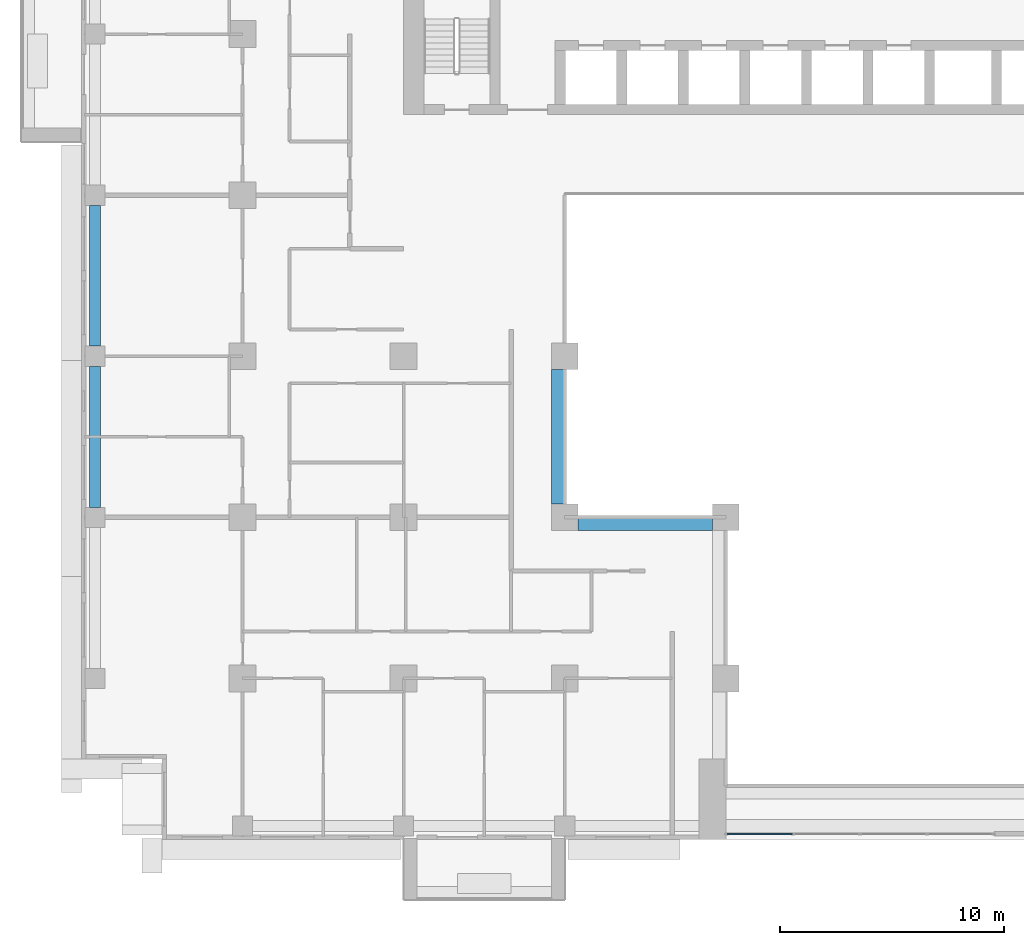
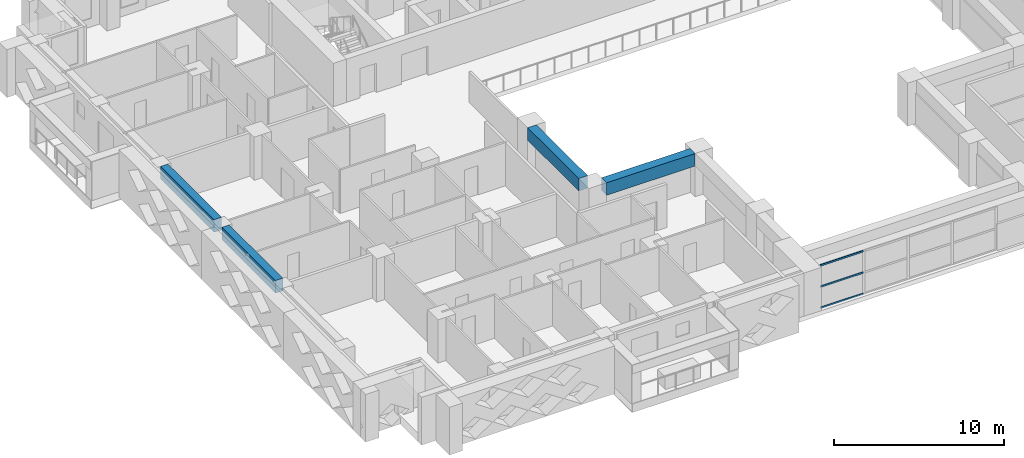
# One storey, part 3 of 17: 4 beams, 3 members, 1 element without a shape of its own.
"""IFC4 building model written with IfcOpenShell, lengths in metres."""

from ifc_helpers import new_model, si_unit, direction, frame, origin, origin_2d, place, context, subcontext, project, spatial, rectangle, extrude, source, transform, mapped, material, layer, layer_set, material_profile, profile_set, type_object, element, aggregate, save


model = new_model("IFC4")

# Units and contexts
model_context = context("Model", 3, precision=1e-05, world=origin(), true_north=direction((0.0, 1.0)))
body_context = subcontext(model_context, "Body", "Model", "MODEL_VIEW")
ifc_project = project(units=[si_unit("LENGTHUNIT", "METRE"), si_unit("AREAUNIT", "SQUARE_METRE"), si_unit("VOLUMEUNIT", "CUBIC_METRE"), si_unit("PLANEANGLEUNIT", "RADIAN"), si_unit("MASSUNIT", "GRAM", prefix="KILO")], contexts=[model_context])

# Site, building, storey
site_placement = place(None, origin())
site = spatial("IfcSite", under=ifc_project, at=site_placement, CompositionType="ELEMENT")
building_placement = place(site_placement, origin())
building = spatial("IfcBuilding", under=site, at=building_placement, Name="Saffron Iwan Residences", CompositionType="ELEMENT")
storey_placement = place(building_placement, frame((0.0, 0.0, 104.0)))
storey = spatial("IfcBuildingStorey", under=building, at=storey_placement, Name="L27", CompositionType="ELEMENT", Elevation=104.0)

# Beams
ifc_material_1 = material(Name="Concrete C60/75", Category="concrete")
ifc_material_profile_1 = material_profile(ifc_material_1, rectangle(XDim=0.5, YDim=0.89990234375, at=origin_2d()), Name="RC 500x900")
ifc_profile_set_1 = profile_set([ifc_material_profile_1], Name="Concrete C60/75")
beam_type_1 = type_object("IfcBeamType", Name="SPANDREL BEAM RC 500x900 C60/75 TOP 3100", PredefinedType="SPANDREL", material=ifc_profile_set_1)
shared_shape_1 = source(origin(), body_context, "Body", "SweptSolid", [
    extrude(rectangle(XDim=0.5, YDim=0.89990234375, at=origin_2d()), origin(), (0.0, 0.0, 1.0), 6.300048828125),
])
for number, where, z_axis, x_axis, name in (
    (1, (15.0, 48.449951171875, 2.64990234375), (0.0, 1.0, 0.0), (-1.0, 0.0, 0.0), "Spandrel beam"),
    (2, (15.0, 55.64990234375, 2.64990234375), (0.0, 1.0, 0.0), (-1.0, 0.0, 0.0), "Spandrel beam"),
):
    element("IfcBeam", number, at=place(storey_placement, frame(where, z_axis=z_axis, x_axis=x_axis)), inside=storey, type_object=beam_type_1, Name=name, PredefinedType="SPANDREL", context=body_context, shape_type="MappedRepresentation", body=[
        mapped(shared_shape_1, transform((0.0, 0.0, 0.0))),
    ])
ifc_material_profile_2 = material_profile(ifc_material_1, rectangle(XDim=0.60009765625, YDim=0.89990234375, at=origin_2d()), Name="RC 600x900")
ifc_profile_set_2 = profile_set([ifc_material_profile_2], Name="Concrete C60/75")
beam_type_2 = type_object("IfcBeamType", Name="BEAM RC 600x900 C60/75 TOP 3100", PredefinedType="BEAM", material=ifc_profile_set_2)
shared_shape_2 = source(origin(), body_context, "Body", "SweptSolid", [
    extrude(rectangle(XDim=0.60009765625, YDim=0.89990234375, at=origin_2d()), origin(), (0.0, 0.0, 1.0), 6.0),
])
for number, where, z_axis, x_axis, name in (
    (3, (42.60009765625, 47.699951171875, 2.64990234375), (-1.0, 0.0, 0.0), (0.0, -1.0, 0.0), "Atrium edge beam"),
    (4, (35.699951171875, 48.60009765625, 2.64990234375), (0.0, 1.0, 0.0), (-1.0, 0.0, 0.0), "Atrium edge beam"),
):
    element("IfcBeam", number, at=place(storey_placement, frame(where, z_axis=z_axis, x_axis=x_axis)), inside=storey, type_object=beam_type_2, Name=name, PredefinedType="BEAM", context=body_context, shape_type="MappedRepresentation", body=[
        mapped(shared_shape_2, transform((0.0, 0.0, 0.0))),
    ])

# Curtain wall, members
ifc_material_2 = material(Name="Clear glass, laminated double glazed", Category="glass")
ifc_layer = layer(ifc_material_2, 0.199951171875)
ifc_layer_set = layer_set([ifc_layer], Name="Clear glass, laminated double glazed")
curtain_wall_type = type_object("IfcCurtainWallType", Name="CW-B IWAN PORTAL", PredefinedType="NOTDEFINED", material=ifc_layer_set)
curtain_wall_placement = place(storey_placement, origin())
curtain_wall = element("IfcCurtainWall", 5, at=curtain_wall_placement, inside=storey, type_object=curtain_wall_type, Name="Iwan portal glazing L27.1", PredefinedType="NOTDEFINED")
ifc_material_3 = material(Name="Aluminium 6063-T6", Category="aluminium")
ifc_material_profile_3 = material_profile(ifc_material_3, rectangle(XDim=0.06005859375, YDim=0.1201171875, at=origin_2d()), Name="CW-B TRANSOM 60 x 120")
ifc_profile_set_3 = profile_set([ifc_material_profile_3], Name="Aluminium 6063-T6")
member_type = type_object("IfcMemberType", Name="CW-B TRANSOM 60 x 120", PredefinedType="USERDEFINED", material=ifc_profile_set_3)
shared_shape_3 = source(origin(), body_context, "Body", "SweptSolid", [
    extrude(rectangle(XDim=0.06005859375, YDim=0.1201171875, at=origin_2d()), origin(), (0.0, 0.0, 1.0), 2.909912109375),
])
member_1_placement = place(storey_placement, frame((43.260009765625, 33.85009765625, 0.030029296875), z_axis=(1.0, 0.0, 0.0), x_axis=(0.0, 1.0, 0.0)))
member_1 = element("IfcMember", 6, at=member_1_placement, type_object=member_type, Name="CW-B transom 1.1", ObjectType="TRANSOM", PredefinedType="USERDEFINED", context=body_context, shape_type="MappedRepresentation", body=[
    mapped(shared_shape_3, transform((0.0, 0.0, 0.0))),
])
member_2_placement = place(storey_placement, frame((43.260009765625, 33.85009765625, 1.550048828125), z_axis=(1.0, 0.0, 0.0), x_axis=(0.0, 1.0, 0.0)))
member_2 = element("IfcMember", 7, at=member_2_placement, type_object=member_type, Name="CW-B transom 1.2", ObjectType="TRANSOM", PredefinedType="USERDEFINED", context=body_context, shape_type="MappedRepresentation", body=[
    mapped(shared_shape_3, transform((0.0, 0.0, 0.0))),
])
member_3_placement = place(storey_placement, frame((43.260009765625, 33.85009765625, 3.070068359375), z_axis=(1.0, 0.0, 0.0), x_axis=(0.0, 1.0, 0.0)))
member_3 = element("IfcMember", 8, at=member_3_placement, type_object=member_type, Name="CW-B transom 1.3", ObjectType="TRANSOM", PredefinedType="USERDEFINED", context=body_context, shape_type="MappedRepresentation", body=[
    mapped(shared_shape_3, transform((0.0, 0.0, 0.0))),
])
aggregate(curtain_wall, [member_1, member_2, member_3])

save(model, "model.ifc")
